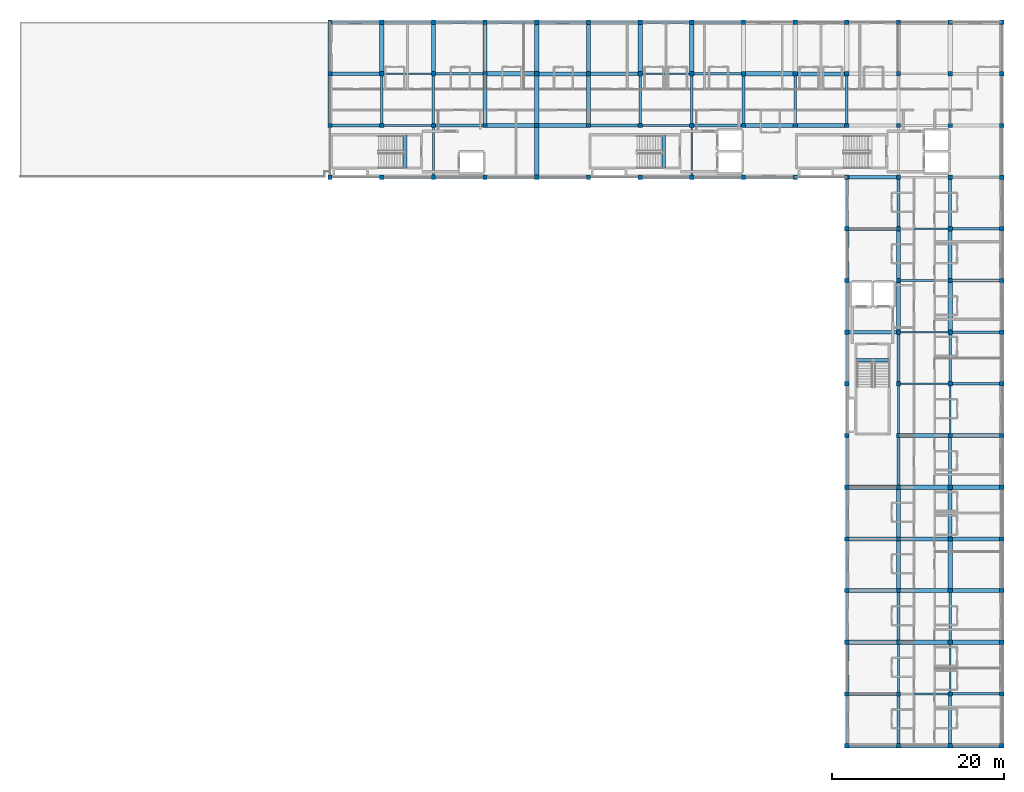
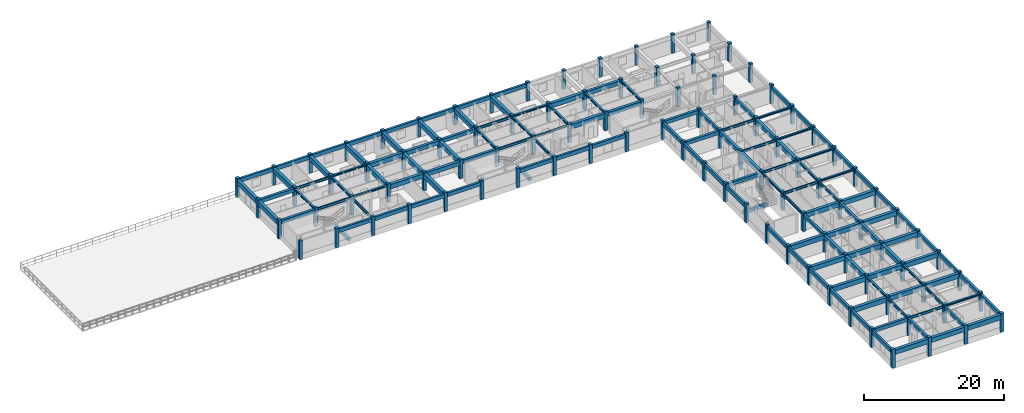
# One storey, part 1 of 15: 134 beams, 100 columns.
"""IFC4 building model written with IfcOpenShell, lengths in metres."""

from ifc_helpers import new_model, si_unit, direction, frame, origin, origin_2d, place, context, subcontext, project, spatial, rectangle, i_section, extrude, material, material_profile, profile_set, type_object, element, save


model = new_model("IFC4")

# Units and contexts
model_context = context("Model", 3, precision=1e-05, world=origin(), true_north=direction((0.0, 1.0)))
body_context = subcontext(model_context, "Body", "Model", "MODEL_VIEW")
ifc_project = project(units=[si_unit("LENGTHUNIT", "METRE"), si_unit("AREAUNIT", "SQUARE_METRE"), si_unit("VOLUMEUNIT", "CUBIC_METRE"), si_unit("PLANEANGLEUNIT", "RADIAN"), si_unit("MASSUNIT", "GRAM", prefix="KILO"), si_unit("THERMODYNAMICTEMPERATUREUNIT", "KELVIN"), si_unit("POWERUNIT", "WATT")], contexts=[model_context])

# Site, building, storey
site_placement = place(None, origin())
site = spatial("IfcSite", under=ifc_project, at=site_placement, CompositionType="ELEMENT")
building_placement = place(site_placement, origin())
building = spatial("IfcBuilding", under=site, at=building_placement, Name="Phaisarnlok Congress Hotel", CompositionType="ELEMENT")
storey_placement = place(building_placement, frame((0.0, 0.0, 38.10009765625)))
storey = spatial("IfcBuildingStorey", under=building, at=storey_placement, Name="L09", CompositionType="ELEMENT", Elevation=38.10009765625)

# Columns
ifc_material_1 = material(Name="Concrete C50/60", Category="concrete")
ifc_material_profile_1 = material_profile(ifc_material_1, rectangle(XDim=0.5, YDim=0.5, at=origin_2d()), Name="RC 500x500")
ifc_profile_set_1 = profile_set([ifc_material_profile_1], Name="Concrete C50/60")
column_type_1 = type_object("IfcColumnType", Name="COL-RC-500", PredefinedType="COLUMN", material=ifc_profile_set_1)
for number, where, z_axis, x_axis, name in (
    (1, (102.0, 108.0, 0.0), (0.0, 0.0, 1.0), (1.0, 0.0, 0.0), "Column C-01 (L09)"),
    (2, (102.0, 114.0, 0.0), (0.0, 0.0, 1.0), (1.0, 0.0, 0.0), "Column C-01 (L09)"),
    (3, (102.0, 120.0, 0.0), (0.0, 0.0, 1.0), (1.0, 0.0, 0.0), "Column C-01 (L09)"),
    (4, (108.0, 108.0, 0.0), (0.0, 0.0, 1.0), (1.0, 0.0, 0.0), "Column C-01 (L09)"),
    (5, (108.0, 114.0, 0.0), (0.0, 0.0, 1.0), (1.0, 0.0, 0.0), "Column C-01 (L09)"),
    (6, (108.0, 120.0, 0.0), (0.0, 0.0, 1.0), (1.0, 0.0, 0.0), "Column C-01 (L09)"),
    (7, (114.0, 108.0, 0.0), (0.0, 0.0, 1.0), (1.0, 0.0, 0.0), "Column C-01 (L09)"),
    (8, (114.0, 114.0, 0.0), (0.0, 0.0, 1.0), (1.0, 0.0, 0.0), "Column C-01 (L09)"),
    (9, (114.0, 120.0, 0.0), (0.0, 0.0, 1.0), (1.0, 0.0, 0.0), "Column C-01 (L09)"),
    (10, (120.0, 108.0, 0.0), (0.0, 0.0, 1.0), (1.0, 0.0, 0.0), "Column C-01 (L09)"),
    (11, (120.0, 114.0, 0.0), (0.0, 0.0, 1.0), (1.0, 0.0, 0.0), "Column C-01 (L09)"),
    (12, (120.0, 120.0, 0.0), (0.0, 0.0, 1.0), (1.0, 0.0, 0.0), "Column C-01 (L09)"),
    (13, (126.0, 108.0, 0.0), (0.0, 0.0, 1.0), (1.0, 0.0, 0.0), "Column C-01 (L09)"),
    (14, (126.0, 114.0, 0.0), (0.0, 0.0, 1.0), (1.0, 0.0, 0.0), "Column C-01 (L09)"),
    (15, (126.0, 120.0, 0.0), (0.0, 0.0, 1.0), (1.0, 0.0, 0.0), "Column C-01 (L09)"),
    (16, (132.0, 108.0, 0.0), (0.0, 0.0, 1.0), (1.0, 0.0, 0.0), "Column C-01 (L09)"),
    (17, (132.0, 114.0, 0.0), (0.0, 0.0, 1.0), (1.0, 0.0, 0.0), "Column C-01 (L09)"),
    (18, (132.0, 120.0, 0.0), (0.0, 0.0, 1.0), (1.0, 0.0, 0.0), "Column C-01 (L09)"),
    (19, (138.0, 108.0, 0.0), (0.0, 0.0, 1.0), (1.0, 0.0, 0.0), "Column C-01 (L09)"),
    (20, (138.0, 114.0, 0.0), (0.0, 0.0, 1.0), (1.0, 0.0, 0.0), "Column C-01 (L09)"),
    (21, (138.0, 120.0, 0.0), (0.0, 0.0, 1.0), (1.0, 0.0, 0.0), "Column C-01 (L09)"),
    (22, (144.0, 108.0, 0.0), (0.0, 0.0, 1.0), (1.0, 0.0, 0.0), "Column C-01 (L09)"),
    (23, (144.0, 114.0, 0.0), (0.0, 0.0, 1.0), (1.0, 0.0, 0.0), "Column C-01 (L09)"),
    (24, (144.0, 120.0, 0.0), (0.0, 0.0, 1.0), (1.0, 0.0, 0.0), "Column C-01 (L09)"),
    (25, (150.0, 108.0, 0.0), (0.0, 0.0, 1.0), (1.0, 0.0, 0.0), "Column C-01 (L09)"),
    (26, (150.0, 114.0, 0.0), (0.0, 0.0, 1.0), (1.0, 0.0, 0.0), "Column C-01 (L09)"),
    (27, (150.0, 120.0, 0.0), (0.0, 0.0, 1.0), (1.0, 0.0, 0.0), "Column C-01 (L09)"),
    (28, (156.0, 108.0, 0.0), (0.0, 0.0, 1.0), (1.0, 0.0, 0.0), "Column C-01 (L09)"),
    (29, (156.0, 114.0, 0.0), (0.0, 0.0, 1.0), (1.0, 0.0, 0.0), "Column C-01 (L09)"),
    (30, (156.0, 120.0, 0.0), (0.0, 0.0, 1.0), (1.0, 0.0, 0.0), "Column C-01 (L09)"),
    (31, (162.0, 42.0, 0.0), (0.0, 0.0, 1.0), (1.0, 0.0, 0.0), "Column C-01 (L09)"),
    (32, (162.0, 48.0, 0.0), (0.0, 0.0, 1.0), (1.0, 0.0, 0.0), "Column C-01 (L09)"),
    (33, (162.0, 54.0, 0.0), (0.0, 0.0, 1.0), (1.0, 0.0, 0.0), "Column C-01 (L09)"),
    (34, (162.0, 60.0, 0.0), (0.0, 0.0, 1.0), (1.0, 0.0, 0.0), "Column C-01 (L09)"),
    (35, (162.0, 66.0, 0.0), (0.0, 0.0, 1.0), (1.0, 0.0, 0.0), "Column C-01 (L09)"),
    (36, (162.0, 72.0, 0.0), (0.0, 0.0, 1.0), (1.0, 0.0, 0.0), "Column C-01 (L09)"),
    (37, (162.0, 78.0, 0.0), (0.0, 0.0, 1.0), (1.0, 0.0, 0.0), "Column C-01 (L09)"),
    (38, (162.0, 84.0, 0.0), (0.0, 0.0, 1.0), (1.0, 0.0, 0.0), "Column C-01 (L09)"),
    (39, (162.0, 90.0, 0.0), (0.0, 0.0, 1.0), (1.0, 0.0, 0.0), "Column C-01 (L09)"),
    (40, (162.0, 96.0, 0.0), (0.0, 0.0, 1.0), (1.0, 0.0, 0.0), "Column C-01 (L09)"),
    (41, (162.0, 102.0, 0.0), (0.0, 0.0, 1.0), (1.0, 0.0, 0.0), "Column C-01 (L09)"),
    (42, (162.0, 108.0, 0.0), (0.0, 0.0, 1.0), (1.0, 0.0, 0.0), "Column C-01 (L09)"),
    (43, (162.0, 114.0, 0.0), (0.0, 0.0, 1.0), (1.0, 0.0, 0.0), "Column C-01 (L09)"),
    (44, (162.0, 120.0, 0.0), (0.0, 0.0, 1.0), (1.0, 0.0, 0.0), "Column C-01 (L09)"),
    (45, (168.0, 42.0, 0.0), (0.0, 0.0, 1.0), (1.0, 0.0, 0.0), "Column C-01 (L09)"),
    (46, (168.0, 48.0, 0.0), (0.0, 0.0, 1.0), (1.0, 0.0, 0.0), "Column C-01 (L09)"),
    (47, (168.0, 54.0, 0.0), (0.0, 0.0, 1.0), (1.0, 0.0, 0.0), "Column C-01 (L09)"),
    (48, (168.0, 60.0, 0.0), (0.0, 0.0, 1.0), (1.0, 0.0, 0.0), "Column C-01 (L09)"),
    (49, (168.0, 66.0, 0.0), (0.0, 0.0, 1.0), (1.0, 0.0, 0.0), "Column C-01 (L09)"),
    (50, (168.0, 72.0, 0.0), (0.0, 0.0, 1.0), (1.0, 0.0, 0.0), "Column C-01 (L09)"),
    (51, (168.0, 78.0, 0.0), (0.0, 0.0, 1.0), (1.0, 0.0, 0.0), "Column C-01 (L09)"),
    (52, (168.0, 84.0, 0.0), (0.0, 0.0, 1.0), (1.0, 0.0, 0.0), "Column C-01 (L09)"),
    (53, (168.0, 90.0, 0.0), (0.0, 0.0, 1.0), (1.0, 0.0, 0.0), "Column C-01 (L09)"),
    (54, (168.0, 96.0, 0.0), (0.0, 0.0, 1.0), (1.0, 0.0, 0.0), "Column C-01 (L09)"),
    (55, (168.0, 102.0, 0.0), (0.0, 0.0, 1.0), (1.0, 0.0, 0.0), "Column C-01 (L09)"),
    (56, (168.0, 108.0, 0.0), (0.0, 0.0, 1.0), (1.0, 0.0, 0.0), "Column C-01 (L09)"),
    (57, (168.0, 114.0, 0.0), (0.0, 0.0, 1.0), (1.0, 0.0, 0.0), "Column C-01 (L09)"),
    (58, (168.0, 120.0, 0.0), (0.0, 0.0, 1.0), (1.0, 0.0, 0.0), "Column C-01 (L09)"),
    (59, (174.0, 42.0, 0.0), (0.0, 0.0, 1.0), (1.0, 0.0, 0.0), "Column C-01 (L09)"),
    (60, (174.0, 48.0, 0.0), (0.0, 0.0, 1.0), (1.0, 0.0, 0.0), "Column C-01 (L09)"),
    (61, (174.0, 54.0, 0.0), (0.0, 0.0, 1.0), (1.0, 0.0, 0.0), "Column C-01 (L09)"),
    (62, (174.0, 60.0, 0.0), (0.0, 0.0, 1.0), (1.0, 0.0, 0.0), "Column C-01 (L09)"),
    (63, (174.0, 66.0, 0.0), (0.0, 0.0, 1.0), (1.0, 0.0, 0.0), "Column C-01 (L09)"),
    (64, (174.0, 72.0, 0.0), (0.0, 0.0, 1.0), (1.0, 0.0, 0.0), "Column C-01 (L09)"),
    (65, (174.0, 78.0, 0.0), (0.0, 0.0, 1.0), (1.0, 0.0, 0.0), "Column C-01 (L09)"),
    (66, (174.0, 84.0, 0.0), (0.0, 0.0, 1.0), (1.0, 0.0, 0.0), "Column C-01 (L09)"),
    (67, (174.0, 90.0, 0.0), (0.0, 0.0, 1.0), (1.0, 0.0, 0.0), "Column C-01 (L09)"),
    (68, (174.0, 96.0, 0.0), (0.0, 0.0, 1.0), (1.0, 0.0, 0.0), "Column C-01 (L09)"),
    (69, (174.0, 102.0, 0.0), (0.0, 0.0, 1.0), (1.0, 0.0, 0.0), "Column C-01 (L09)"),
    (70, (174.0, 108.0, 0.0), (0.0, 0.0, 1.0), (1.0, 0.0, 0.0), "Column C-01 (L09)"),
    (71, (174.0, 114.0, 0.0), (0.0, 0.0, 1.0), (1.0, 0.0, 0.0), "Column C-01 (L09)"),
    (72, (174.0, 120.0, 0.0), (0.0, 0.0, 1.0), (1.0, 0.0, 0.0), "Column C-01 (L09)"),
):
    element("IfcColumn", number, at=place(storey_placement, frame(where, z_axis=z_axis, x_axis=x_axis)), inside=storey, type_object=column_type_1, Name=name, PredefinedType="COLUMN", context=body_context, shape_type="SweptSolid", body=[
        extrude(rectangle(XDim=0.5, YDim=0.5, at=origin_2d()), origin(), (0.0, 0.0, 1.0), 3.2998046875),
    ])
ifc_material_profile_2 = material_profile(ifc_material_1, rectangle(XDim=0.5, YDim=0.5, at=origin_2d()), Name="RC 500x500")
ifc_profile_set_2 = profile_set([ifc_material_profile_2], Name="Concrete C50/60")
column_type_2 = type_object("IfcColumnType", Name="COL-RC-500-EXT", PredefinedType="COLUMN", material=ifc_profile_set_2)
for number, where, z_axis, x_axis, name in (
    (73, (102.0, 126.0, 0.0), (0.0, 0.0, 1.0), (1.0, 0.0, 0.0), "Column C-01E (L09)"),
    (74, (108.0, 126.0, 0.0), (0.0, 0.0, 1.0), (1.0, 0.0, 0.0), "Column C-01E (L09)"),
    (75, (114.0, 126.0, 0.0), (0.0, 0.0, 1.0), (1.0, 0.0, 0.0), "Column C-01E (L09)"),
    (76, (120.0, 126.0, 0.0), (0.0, 0.0, 1.0), (1.0, 0.0, 0.0), "Column C-01E (L09)"),
    (77, (126.0, 126.0, 0.0), (0.0, 0.0, 1.0), (1.0, 0.0, 0.0), "Column C-01E (L09)"),
    (78, (132.0, 126.0, 0.0), (0.0, 0.0, 1.0), (1.0, 0.0, 0.0), "Column C-01E (L09)"),
    (79, (138.0, 126.0, 0.0), (0.0, 0.0, 1.0), (1.0, 0.0, 0.0), "Column C-01E (L09)"),
    (80, (144.0, 126.0, 0.0), (0.0, 0.0, 1.0), (1.0, 0.0, 0.0), "Column C-01E (L09)"),
    (81, (150.0, 126.0, 0.0), (0.0, 0.0, 1.0), (1.0, 0.0, 0.0), "Column C-01E (L09)"),
    (82, (156.0, 126.0, 0.0), (0.0, 0.0, 1.0), (1.0, 0.0, 0.0), "Column C-01E (L09)"),
    (83, (162.0, 126.0, 0.0), (0.0, 0.0, 1.0), (1.0, 0.0, 0.0), "Column C-01E (L09)"),
    (84, (168.0, 126.0, 0.0), (0.0, 0.0, 1.0), (1.0, 0.0, 0.0), "Column C-01E (L09)"),
    (85, (174.0, 126.0, 0.0), (0.0, 0.0, 1.0), (1.0, 0.0, 0.0), "Column C-01E (L09)"),
    (86, (180.0, 42.0, 0.0), (0.0, 0.0, 1.0), (1.0, 0.0, 0.0), "Column C-01E (L09)"),
    (87, (180.0, 48.0, 0.0), (0.0, 0.0, 1.0), (1.0, 0.0, 0.0), "Column C-01E (L09)"),
    (88, (180.0, 54.0, 0.0), (0.0, 0.0, 1.0), (1.0, 0.0, 0.0), "Column C-01E (L09)"),
    (89, (180.0, 60.0, 0.0), (0.0, 0.0, 1.0), (1.0, 0.0, 0.0), "Column C-01E (L09)"),
    (90, (180.0, 66.0, 0.0), (0.0, 0.0, 1.0), (1.0, 0.0, 0.0), "Column C-01E (L09)"),
    (91, (180.0, 72.0, 0.0), (0.0, 0.0, 1.0), (1.0, 0.0, 0.0), "Column C-01E (L09)"),
    (92, (180.0, 78.0, 0.0), (0.0, 0.0, 1.0), (1.0, 0.0, 0.0), "Column C-01E (L09)"),
    (93, (180.0, 84.0, 0.0), (0.0, 0.0, 1.0), (1.0, 0.0, 0.0), "Column C-01E (L09)"),
    (94, (180.0, 90.0, 0.0), (0.0, 0.0, 1.0), (1.0, 0.0, 0.0), "Column C-01E (L09)"),
    (95, (180.0, 96.0, 0.0), (0.0, 0.0, 1.0), (1.0, 0.0, 0.0), "Column C-01E (L09)"),
    (96, (180.0, 102.0, 0.0), (0.0, 0.0, 1.0), (1.0, 0.0, 0.0), "Column C-01E (L09)"),
    (97, (180.0, 108.0, 0.0), (0.0, 0.0, 1.0), (1.0, 0.0, 0.0), "Column C-01E (L09)"),
    (98, (180.0, 114.0, 0.0), (0.0, 0.0, 1.0), (1.0, 0.0, 0.0), "Column C-01E (L09)"),
    (99, (180.0, 120.0, 0.0), (0.0, 0.0, 1.0), (1.0, 0.0, 0.0), "Column C-01E (L09)"),
    (100, (180.0, 126.0, 0.0), (0.0, 0.0, 1.0), (1.0, 0.0, 0.0), "Column C-01E (L09)"),
):
    element("IfcColumn", number, at=place(storey_placement, frame(where, z_axis=z_axis, x_axis=x_axis)), inside=storey, type_object=column_type_2, Name=name, PredefinedType="COLUMN", context=body_context, shape_type="SweptSolid", body=[
        extrude(rectangle(XDim=0.5, YDim=0.5, at=origin_2d()), origin(), (0.0, 0.0, 1.0), 3.2998046875),
    ])

# Beams
ifc_material_2 = material(Name="Concrete C40/50", Category="concrete")
ifc_material_profile_3 = material_profile(ifc_material_2, rectangle(XDim=0.35009765625, YDim=0.550048828125, at=origin_2d()), Name="RC 350x550")
ifc_profile_set_3 = profile_set([ifc_material_profile_3], Name="Concrete C40/50")
beam_type_1 = type_object("IfcBeamType", Name="BM-RC-350x550", PredefinedType="BEAM", material=ifc_profile_set_3)
for number, where, z_axis, x_axis, name in (
    (101, (168.0, 42.2451171875, 2.784912109375), (0.0, 1.0, 0.0), (-1.0, 0.0, 0.0), "Beam B-01"),
    (102, (168.0, 72.2451171875, 2.784912109375), (0.0, 1.0, 0.0), (-1.0, 0.0, 0.0), "Beam B-01"),
    (103, (168.0, 102.2451171875, 2.784912109375), (0.0, 1.0, 0.0), (-1.0, 0.0, 0.0), "Beam B-01"),
    (104, (174.0, 42.2451171875, 2.784912109375), (0.0, 1.0, 0.0), (-1.0, 0.0, 0.0), "Beam B-01"),
    (105, (174.0, 72.2451171875, 2.784912109375), (0.0, 1.0, 0.0), (-1.0, 0.0, 0.0), "Beam B-01"),
    (106, (174.0, 102.2451171875, 2.784912109375), (0.0, 1.0, 0.0), (-1.0, 0.0, 0.0), "Beam B-01"),
):
    element("IfcBeam", number, at=place(storey_placement, frame(where, z_axis=z_axis, x_axis=x_axis)), inside=storey, type_object=beam_type_1, Name=name, PredefinedType="BEAM", context=body_context, shape_type="SweptSolid", body=[
        extrude(rectangle(XDim=0.35009765625, YDim=0.550048828125, at=origin_2d()), origin(), (0.0, 0.0, 1.0), 5.509765625),
    ])
ifc_material_profile_4 = material_profile(ifc_material_2, rectangle(XDim=0.39990234375, YDim=0.60009765625, at=origin_2d()), Name="RC 400x600")
ifc_profile_set_4 = profile_set([ifc_material_profile_4], Name="Concrete C40/50")
beam_type_2 = type_object("IfcBeamType", Name="BM-RC-400x600", PredefinedType="BEAM", material=ifc_profile_set_4)
for number, where, z_axis, x_axis, name in (
    (107, (102.2451171875, 114.0, 2.760009765625), (1.0, 0.0, 0.0), (0.0, 1.0, 0.0), "Beam B-02"),
    (108, (102.2451171875, 120.0, 2.760009765625), (1.0, 0.0, 0.0), (0.0, 1.0, 0.0), "Beam B-02"),
    (109, (132.2451171875, 114.0, 2.760009765625), (1.0, 0.0, 0.0), (0.0, 1.0, 0.0), "Beam B-02"),
    (110, (132.2451171875, 120.0, 2.760009765625), (1.0, 0.0, 0.0), (0.0, 1.0, 0.0), "Beam B-02"),
    (111, (162.2451171875, 48.0, 2.760009765625), (1.0, 0.0, 0.0), (0.0, 1.0, 0.0), "Beam B-02"),
    (112, (162.2451171875, 90.0, 2.760009765625), (1.0, 0.0, 0.0), (0.0, 1.0, 0.0), "Beam B-02"),
    (113, (162.2451171875, 102.0, 2.760009765625), (1.0, 0.0, 0.0), (0.0, 1.0, 0.0), "Beam B-02"),
    (114, (162.2451171875, 108.0, 2.760009765625), (1.0, 0.0, 0.0), (0.0, 1.0, 0.0), "Beam B-02"),
):
    element("IfcBeam", number, at=place(storey_placement, frame(where, z_axis=z_axis, x_axis=x_axis)), inside=storey, type_object=beam_type_2, Name=name, PredefinedType="BEAM", context=body_context, shape_type="SweptSolid", body=[
        extrude(rectangle(XDim=0.39990234375, YDim=0.60009765625, at=origin_2d()), origin(), (0.0, 0.0, 1.0), 5.509765625),
    ])
for number, where, z_axis, x_axis, name in (
    (115, (140.719970703125, 109.080078125, -0.300048828125), (0.0, 1.0, 0.0), (-1.0, 0.0, 0.0), "Stair landing header beam B-02 (CORE-2 L09)"),
    (116, (163.080078125, 86.719970703125, -0.300048828125), (1.0, 0.0, 0.0), (0.0, 1.0, 0.0), "Stair landing header beam B-02 (CORE-3 L09)"),
    (117, (110.719970703125, 109.080078125, -0.300048828125), (0.0, 1.0, 0.0), (-1.0, 0.0, 0.0), "Stair landing header beam B-02 (CORE-4 L09)"),
):
    element("IfcBeam", number, at=place(storey_placement, frame(where, z_axis=z_axis, x_axis=x_axis)), inside=storey, type_object=beam_type_2, Name=name, PredefinedType="BEAM", context=body_context, shape_type="SweptSolid", body=[
        extrude(rectangle(XDim=0.39990234375, YDim=0.60009765625, at=origin_2d()), origin(), (0.0, 0.0, 1.0), 3.83984375),
    ])
ifc_material_profile_5 = material_profile(ifc_material_2, rectangle(XDim=0.449951171875, YDim=0.699951171875, at=origin_2d()), Name="RC 450x700")
ifc_profile_set_5 = profile_set([ifc_material_profile_5], Name="Concrete C40/50")
beam_type_3 = type_object("IfcBeamType", Name="BM-RC-450x700", PredefinedType="BEAM", material=ifc_profile_set_5)
for number, where, z_axis, x_axis, name in (
    (118, (126.2451171875, 114.0, 2.7099609375), (1.0, 0.0, 0.0), (0.0, 1.0, 0.0), "Beam B-03"),
    (119, (126.2451171875, 120.0, 2.7099609375), (1.0, 0.0, 0.0), (0.0, 1.0, 0.0), "Beam B-03"),
    (120, (156.2451171875, 114.0, 2.7099609375), (1.0, 0.0, 0.0), (0.0, 1.0, 0.0), "Beam B-03"),
    (121, (156.2451171875, 120.0, 2.7099609375), (1.0, 0.0, 0.0), (0.0, 1.0, 0.0), "Beam B-03"),
    (122, (168.0, 66.2451171875, 2.7099609375), (0.0, 1.0, 0.0), (-1.0, 0.0, 0.0), "Beam B-03"),
    (123, (168.0, 96.2451171875, 2.7099609375), (0.0, 1.0, 0.0), (-1.0, 0.0, 0.0), "Beam B-03"),
    (124, (174.0, 66.2451171875, 2.7099609375), (0.0, 1.0, 0.0), (-1.0, 0.0, 0.0), "Beam B-03"),
    (125, (174.0, 96.2451171875, 2.7099609375), (0.0, 1.0, 0.0), (-1.0, 0.0, 0.0), "Beam B-03"),
):
    element("IfcBeam", number, at=place(storey_placement, frame(where, z_axis=z_axis, x_axis=x_axis)), inside=storey, type_object=beam_type_3, Name=name, PredefinedType="BEAM", context=body_context, shape_type="SweptSolid", body=[
        extrude(rectangle(XDim=0.449951171875, YDim=0.699951171875, at=origin_2d()), origin(), (0.0, 0.0, 1.0), 5.509765625),
    ])
ifc_material_profile_6 = material_profile(ifc_material_2, rectangle(XDim=0.5, YDim=0.800048828125, at=origin_2d()), Name="RC 500x800")
ifc_profile_set_6 = profile_set([ifc_material_profile_6], Name="Concrete C40/50")
beam_type_4 = type_object("IfcBeamType", Name="BM-RC-500x800", PredefinedType="BEAM", material=ifc_profile_set_6)
for number, where, z_axis, x_axis, name in (
    (126, (108.0, 120.2451171875, 2.659912109375), (0.0, 1.0, 0.0), (-1.0, 0.0, 0.0), "Beam B-04"),
    (127, (114.0, 120.2451171875, 2.659912109375), (0.0, 1.0, 0.0), (-1.0, 0.0, 0.0), "Beam B-04"),
    (128, (120.2451171875, 114.0, 2.659912109375), (1.0, 0.0, 0.0), (0.0, 1.0, 0.0), "Beam B-04"),
    (129, (120.0, 114.2451171875, 2.659912109375), (0.0, 1.0, 0.0), (-1.0, 0.0, 0.0), "Beam B-04"),
    (130, (120.2451171875, 120.0, 2.659912109375), (1.0, 0.0, 0.0), (0.0, 1.0, 0.0), "Beam B-04"),
    (131, (120.0, 120.2451171875, 2.659912109375), (0.0, 1.0, 0.0), (-1.0, 0.0, 0.0), "Beam B-04"),
    (132, (126.0, 108.2451171875, 2.659912109375), (0.0, 1.0, 0.0), (-1.0, 0.0, 0.0), "Beam B-04"),
    (133, (126.0, 114.2451171875, 2.659912109375), (0.0, 1.0, 0.0), (-1.0, 0.0, 0.0), "Beam B-04"),
    (134, (126.0, 120.2451171875, 2.659912109375), (0.0, 1.0, 0.0), (-1.0, 0.0, 0.0), "Beam B-04"),
    (135, (132.0, 114.2451171875, 2.659912109375), (0.0, 1.0, 0.0), (-1.0, 0.0, 0.0), "Beam B-04"),
    (136, (132.0, 120.2451171875, 2.659912109375), (0.0, 1.0, 0.0), (-1.0, 0.0, 0.0), "Beam B-04"),
    (137, (138.0, 120.2451171875, 2.659912109375), (0.0, 1.0, 0.0), (-1.0, 0.0, 0.0), "Beam B-04"),
    (138, (144.0, 120.2451171875, 2.659912109375), (0.0, 1.0, 0.0), (-1.0, 0.0, 0.0), "Beam B-04"),
    (139, (150.2451171875, 114.0, 2.659912109375), (1.0, 0.0, 0.0), (0.0, 1.0, 0.0), "Beam B-04"),
    (140, (150.2451171875, 120.0, 2.659912109375), (1.0, 0.0, 0.0), (0.0, 1.0, 0.0), "Beam B-04"),
    (141, (162.2451171875, 54.0, 2.659912109375), (1.0, 0.0, 0.0), (0.0, 1.0, 0.0), "Beam B-04"),
    (142, (162.2451171875, 60.0, 2.659912109375), (1.0, 0.0, 0.0), (0.0, 1.0, 0.0), "Beam B-04"),
    (143, (162.2451171875, 66.0, 2.659912109375), (1.0, 0.0, 0.0), (0.0, 1.0, 0.0), "Beam B-04"),
    (144, (162.2451171875, 72.0, 2.659912109375), (1.0, 0.0, 0.0), (0.0, 1.0, 0.0), "Beam B-04"),
    (145, (168.2451171875, 54.0, 2.659912109375), (1.0, 0.0, 0.0), (0.0, 1.0, 0.0), "Beam B-04"),
    (146, (168.2451171875, 60.0, 2.659912109375), (1.0, 0.0, 0.0), (0.0, 1.0, 0.0), "Beam B-04"),
    (147, (168.0, 60.2451171875, 2.659912109375), (0.0, 1.0, 0.0), (-1.0, 0.0, 0.0), "Beam B-04"),
    (148, (168.2451171875, 66.0, 2.659912109375), (1.0, 0.0, 0.0), (0.0, 1.0, 0.0), "Beam B-04"),
    (149, (168.2451171875, 72.0, 2.659912109375), (1.0, 0.0, 0.0), (0.0, 1.0, 0.0), "Beam B-04"),
    (150, (168.2451171875, 78.0, 2.659912109375), (1.0, 0.0, 0.0), (0.0, 1.0, 0.0), "Beam B-04"),
    (151, (168.0, 90.2451171875, 2.659912109375), (0.0, 1.0, 0.0), (-1.0, 0.0, 0.0), "Beam B-04"),
    (152, (174.2451171875, 54.0, 2.659912109375), (1.0, 0.0, 0.0), (0.0, 1.0, 0.0), "Beam B-04"),
    (153, (174.2451171875, 60.0, 2.659912109375), (1.0, 0.0, 0.0), (0.0, 1.0, 0.0), "Beam B-04"),
    (154, (174.0, 60.2451171875, 2.659912109375), (0.0, 1.0, 0.0), (-1.0, 0.0, 0.0), "Beam B-04"),
    (155, (174.2451171875, 66.0, 2.659912109375), (1.0, 0.0, 0.0), (0.0, 1.0, 0.0), "Beam B-04"),
    (156, (174.2451171875, 72.0, 2.659912109375), (1.0, 0.0, 0.0), (0.0, 1.0, 0.0), "Beam B-04"),
    (157, (174.2451171875, 78.0, 2.659912109375), (1.0, 0.0, 0.0), (0.0, 1.0, 0.0), "Beam B-04"),
    (158, (174.0, 90.2451171875, 2.659912109375), (0.0, 1.0, 0.0), (-1.0, 0.0, 0.0), "Beam B-04"),
):
    element("IfcBeam", number, at=place(storey_placement, frame(where, z_axis=z_axis, x_axis=x_axis)), inside=storey, type_object=beam_type_4, Name=name, PredefinedType="BEAM", context=body_context, shape_type="SweptSolid", body=[
        extrude(rectangle(XDim=0.5, YDim=0.800048828125, at=origin_2d()), origin(), (0.0, 0.0, 1.0), 5.509765625),
    ])
ifc_material_3 = material(Name="Steel S355", Category="steel")
ifc_material_profile_7 = material_profile(ifc_material_3, i_section(OverallWidth=0.300048828125, OverallDepth=0.2900390625, WebThickness=0.008544921875, FlangeThickness=0.013916015625, FilletRadius=0.027099609375, at=origin_2d()), Name="HEA 300")
ifc_profile_set_7 = profile_set([ifc_material_profile_7], Name="Steel S355")
beam_type_5 = type_object("IfcBeamType", Name="BM-STL-HEA300", PredefinedType="BEAM", material=ifc_profile_set_7)
for number, where, z_axis, x_axis, name in (
    (159, (114.2451171875, 114.0, 2.914794921875), (1.0, 0.0, 0.0), (0.0, 1.0, 0.0), "Beam SB-05"),
    (160, (114.2451171875, 120.0, 2.914794921875), (1.0, 0.0, 0.0), (0.0, 1.0, 0.0), "Beam SB-05"),
    (161, (144.2451171875, 114.0, 2.914794921875), (1.0, 0.0, 0.0), (0.0, 1.0, 0.0), "Beam SB-05"),
    (162, (144.2451171875, 120.0, 2.914794921875), (1.0, 0.0, 0.0), (0.0, 1.0, 0.0), "Beam SB-05"),
    (163, (174.2451171875, 48.0, 2.914794921875), (1.0, 0.0, 0.0), (0.0, 1.0, 0.0), "Beam SB-05"),
    (164, (174.2451171875, 84.0, 2.914794921875), (1.0, 0.0, 0.0), (0.0, 1.0, 0.0), "Beam SB-05"),
    (165, (174.2451171875, 90.0, 2.914794921875), (1.0, 0.0, 0.0), (0.0, 1.0, 0.0), "Beam SB-05"),
    (166, (174.2451171875, 96.0, 2.914794921875), (1.0, 0.0, 0.0), (0.0, 1.0, 0.0), "Beam SB-05"),
    (167, (174.2451171875, 102.0, 2.914794921875), (1.0, 0.0, 0.0), (0.0, 1.0, 0.0), "Beam SB-05"),
):
    element("IfcBeam", number, at=place(storey_placement, frame(where, z_axis=z_axis, x_axis=x_axis)), inside=storey, type_object=beam_type_5, Name=name, PredefinedType="BEAM", context=body_context, shape_type="SweptSolid", body=[
        extrude(i_section(OverallWidth=0.300048828125, OverallDepth=0.2900390625, WebThickness=0.008544921875, FlangeThickness=0.013916015625, FilletRadius=0.027099609375, at=origin_2d()), origin(), (0.0, 0.0, 1.0), 5.509765625),
    ])
ifc_material_profile_8 = material_profile(ifc_material_3, i_section(OverallWidth=0.300048828125, OverallDepth=0.340087890625, WebThickness=0.011962890625, FlangeThickness=0.021484375, FilletRadius=0.027099609375, at=origin_2d()), Name="HEB 340")
ifc_profile_set_8 = profile_set([ifc_material_profile_8], Name="Steel S355")
beam_type_6 = type_object("IfcBeamType", Name="BM-STL-HEB340", PredefinedType="BEAM", material=ifc_profile_set_8)
for number, where, z_axis, x_axis, name in (
    (168, (108.0, 114.2451171875, 2.889892578125), (0.0, 1.0, 0.0), (-1.0, 0.0, 0.0), "Beam SB-07"),
    (169, (114.0, 114.2451171875, 2.889892578125), (0.0, 1.0, 0.0), (-1.0, 0.0, 0.0), "Beam SB-07"),
    (170, (138.0, 114.2451171875, 2.889892578125), (0.0, 1.0, 0.0), (-1.0, 0.0, 0.0), "Beam SB-07"),
    (171, (144.0, 114.2451171875, 2.889892578125), (0.0, 1.0, 0.0), (-1.0, 0.0, 0.0), "Beam SB-07"),
    (172, (150.0, 114.2451171875, 2.889892578125), (0.0, 1.0, 0.0), (-1.0, 0.0, 0.0), "Beam SB-07"),
    (173, (156.0, 114.2451171875, 2.889892578125), (0.0, 1.0, 0.0), (-1.0, 0.0, 0.0), "Beam SB-07"),
    (174, (162.0, 114.2451171875, 2.889892578125), (0.0, 1.0, 0.0), (-1.0, 0.0, 0.0), "Beam SB-07"),
    (175, (168.0, 54.2451171875, 2.889892578125), (0.0, 1.0, 0.0), (-1.0, 0.0, 0.0), "Beam SB-07"),
    (176, (168.0, 84.2451171875, 2.889892578125), (0.0, 1.0, 0.0), (-1.0, 0.0, 0.0), "Beam SB-07"),
    (177, (174.0, 54.2451171875, 2.889892578125), (0.0, 1.0, 0.0), (-1.0, 0.0, 0.0), "Beam SB-07"),
    (178, (174.0, 84.2451171875, 2.889892578125), (0.0, 1.0, 0.0), (-1.0, 0.0, 0.0), "Beam SB-07"),
):
    element("IfcBeam", number, at=place(storey_placement, frame(where, z_axis=z_axis, x_axis=x_axis)), inside=storey, type_object=beam_type_6, Name=name, PredefinedType="BEAM", context=body_context, shape_type="SweptSolid", body=[
        extrude(i_section(OverallWidth=0.300048828125, OverallDepth=0.340087890625, WebThickness=0.011962890625, FlangeThickness=0.021484375, FilletRadius=0.027099609375, at=origin_2d()), origin(), (0.0, 0.0, 1.0), 5.509765625),
    ])
ifc_material_profile_9 = material_profile(ifc_material_3, i_section(OverallWidth=0.18994140625, OverallDepth=0.449951171875, WebThickness=0.009521484375, FlangeThickness=0.0146484375, FilletRadius=0.02099609375, at=origin_2d()), Name="IPE 450")
ifc_profile_set_9 = profile_set([ifc_material_profile_9], Name="Steel S355")
beam_type_7 = type_object("IfcBeamType", Name="BM-STL-IPE450", PredefinedType="BEAM", material=ifc_profile_set_9)
for number, where, z_axis, x_axis, name in (
    (179, (108.2451171875, 114.0, 2.8349609375), (1.0, 0.0, 0.0), (0.0, 1.0, 0.0), "Beam SB-01"),
    (180, (108.2451171875, 120.0, 2.8349609375), (1.0, 0.0, 0.0), (0.0, 1.0, 0.0), "Beam SB-01"),
    (181, (138.2451171875, 114.0, 2.8349609375), (1.0, 0.0, 0.0), (0.0, 1.0, 0.0), "Beam SB-01"),
    (182, (138.2451171875, 120.0, 2.8349609375), (1.0, 0.0, 0.0), (0.0, 1.0, 0.0), "Beam SB-01"),
    (183, (168.2451171875, 48.0, 2.8349609375), (1.0, 0.0, 0.0), (0.0, 1.0, 0.0), "Beam SB-01"),
    (184, (168.2451171875, 84.0, 2.8349609375), (1.0, 0.0, 0.0), (0.0, 1.0, 0.0), "Beam SB-01"),
    (185, (168.2451171875, 90.0, 2.8349609375), (1.0, 0.0, 0.0), (0.0, 1.0, 0.0), "Beam SB-01"),
    (186, (168.2451171875, 96.0, 2.8349609375), (1.0, 0.0, 0.0), (0.0, 1.0, 0.0), "Beam SB-01"),
    (187, (168.2451171875, 102.0, 2.8349609375), (1.0, 0.0, 0.0), (0.0, 1.0, 0.0), "Beam SB-01"),
):
    element("IfcBeam", number, at=place(storey_placement, frame(where, z_axis=z_axis, x_axis=x_axis)), inside=storey, type_object=beam_type_7, Name=name, PredefinedType="BEAM", context=body_context, shape_type="SweptSolid", body=[
        extrude(i_section(OverallWidth=0.18994140625, OverallDepth=0.449951171875, WebThickness=0.009521484375, FlangeThickness=0.0146484375, FilletRadius=0.02099609375, at=origin_2d()), origin(), (0.0, 0.0, 1.0), 5.509765625),
    ])
ifc_material_profile_10 = material_profile(ifc_material_3, i_section(OverallWidth=0.199951171875, OverallDepth=0.5, WebThickness=0.01025390625, FlangeThickness=0.01611328125, FilletRadius=0.02099609375, at=origin_2d()), Name="IPE 500")
ifc_profile_set_10 = profile_set([ifc_material_profile_10], Name="Steel S355")
beam_type_8 = type_object("IfcBeamType", Name="BM-STL-IPE500", PredefinedType="BEAM", material=ifc_profile_set_10)
for number, where, z_axis, x_axis, name in (
    (188, (114.0, 108.2451171875, 2.809814453125), (0.0, 1.0, 0.0), (-1.0, 0.0, 0.0), "Beam SB-02"),
    (189, (144.0, 108.2451171875, 2.809814453125), (0.0, 1.0, 0.0), (-1.0, 0.0, 0.0), "Beam SB-02"),
    (190, (168.0, 48.2451171875, 2.809814453125), (0.0, 1.0, 0.0), (-1.0, 0.0, 0.0), "Beam SB-02"),
    (191, (168.0, 78.2451171875, 2.809814453125), (0.0, 1.0, 0.0), (-1.0, 0.0, 0.0), "Beam SB-02"),
    (192, (174.0, 48.2451171875, 2.809814453125), (0.0, 1.0, 0.0), (-1.0, 0.0, 0.0), "Beam SB-02"),
    (193, (174.0, 78.2451171875, 2.809814453125), (0.0, 1.0, 0.0), (-1.0, 0.0, 0.0), "Beam SB-02"),
):
    element("IfcBeam", number, at=place(storey_placement, frame(where, z_axis=z_axis, x_axis=x_axis)), inside=storey, type_object=beam_type_8, Name=name, PredefinedType="BEAM", context=body_context, shape_type="SweptSolid", body=[
        extrude(i_section(OverallWidth=0.199951171875, OverallDepth=0.5, WebThickness=0.01025390625, FlangeThickness=0.01611328125, FilletRadius=0.02099609375, at=origin_2d()), origin(), (0.0, 0.0, 1.0), 5.509765625),
    ])
ifc_material_profile_11 = material_profile(ifc_material_2, rectangle(XDim=0.35009765625, YDim=0.64990234375, at=origin_2d()), Name="RC 350x650")
ifc_profile_set_11 = profile_set([ifc_material_profile_11], Name="Concrete C40/50")
beam_type_9 = type_object("IfcBeamType", Name="SP-RC-350x650", PredefinedType="SPANDREL", material=ifc_profile_set_11)
for number, where, z_axis, x_axis, name in (
    (194, (102.2451171875, 126.0, 2.73486328125), (1.0, 0.0, 0.0), (0.0, 1.0, 0.0), "Beam SP-01"),
    (195, (108.2451171875, 108.0, 2.73486328125), (1.0, 0.0, 0.0), (0.0, 1.0, 0.0), "Beam SP-01"),
    (196, (108.2451171875, 126.0, 2.73486328125), (1.0, 0.0, 0.0), (0.0, 1.0, 0.0), "Beam SP-01"),
    (197, (114.2451171875, 108.0, 2.73486328125), (1.0, 0.0, 0.0), (0.0, 1.0, 0.0), "Beam SP-01"),
    (198, (114.2451171875, 126.0, 2.73486328125), (1.0, 0.0, 0.0), (0.0, 1.0, 0.0), "Beam SP-01"),
    (199, (120.2451171875, 108.0, 2.73486328125), (1.0, 0.0, 0.0), (0.0, 1.0, 0.0), "Beam SP-01"),
    (200, (120.2451171875, 126.0, 2.73486328125), (1.0, 0.0, 0.0), (0.0, 1.0, 0.0), "Beam SP-01"),
    (201, (126.2451171875, 108.0, 2.73486328125), (1.0, 0.0, 0.0), (0.0, 1.0, 0.0), "Beam SP-01"),
    (202, (126.2451171875, 126.0, 2.73486328125), (1.0, 0.0, 0.0), (0.0, 1.0, 0.0), "Beam SP-01"),
    (203, (132.2451171875, 126.0, 2.73486328125), (1.0, 0.0, 0.0), (0.0, 1.0, 0.0), "Beam SP-01"),
    (204, (138.2451171875, 108.0, 2.73486328125), (1.0, 0.0, 0.0), (0.0, 1.0, 0.0), "Beam SP-01"),
    (205, (138.2451171875, 126.0, 2.73486328125), (1.0, 0.0, 0.0), (0.0, 1.0, 0.0), "Beam SP-01"),
    (206, (144.2451171875, 108.0, 2.73486328125), (1.0, 0.0, 0.0), (0.0, 1.0, 0.0), "Beam SP-01"),
    (207, (144.2451171875, 126.0, 2.73486328125), (1.0, 0.0, 0.0), (0.0, 1.0, 0.0), "Beam SP-01"),
    (208, (150.2451171875, 108.0, 2.73486328125), (1.0, 0.0, 0.0), (0.0, 1.0, 0.0), "Beam SP-01"),
    (209, (162.0, 42.2451171875, 2.73486328125), (0.0, 1.0, 0.0), (-1.0, 0.0, 0.0), "Beam SP-01"),
    (210, (162.0, 48.2451171875, 2.73486328125), (0.0, 1.0, 0.0), (-1.0, 0.0, 0.0), "Beam SP-01"),
    (211, (162.0, 54.2451171875, 2.73486328125), (0.0, 1.0, 0.0), (-1.0, 0.0, 0.0), "Beam SP-01"),
    (212, (162.0, 60.2451171875, 2.73486328125), (0.0, 1.0, 0.0), (-1.0, 0.0, 0.0), "Beam SP-01"),
    (213, (162.0, 66.2451171875, 2.73486328125), (0.0, 1.0, 0.0), (-1.0, 0.0, 0.0), "Beam SP-01"),
    (214, (162.0, 72.2451171875, 2.73486328125), (0.0, 1.0, 0.0), (-1.0, 0.0, 0.0), "Beam SP-01"),
    (215, (162.0, 84.2451171875, 2.73486328125), (0.0, 1.0, 0.0), (-1.0, 0.0, 0.0), "Beam SP-01"),
    (216, (162.0, 90.2451171875, 2.73486328125), (0.0, 1.0, 0.0), (-1.0, 0.0, 0.0), "Beam SP-01"),
    (217, (162.0, 96.2451171875, 2.73486328125), (0.0, 1.0, 0.0), (-1.0, 0.0, 0.0), "Beam SP-01"),
    (218, (162.0, 102.2451171875, 2.73486328125), (0.0, 1.0, 0.0), (-1.0, 0.0, 0.0), "Beam SP-01"),
    (219, (180.0, 42.2451171875, 2.73486328125), (0.0, 1.0, 0.0), (-1.0, 0.0, 0.0), "Beam SP-01"),
    (220, (180.0, 48.2451171875, 2.73486328125), (0.0, 1.0, 0.0), (-1.0, 0.0, 0.0), "Beam SP-01"),
    (221, (180.0, 54.2451171875, 2.73486328125), (0.0, 1.0, 0.0), (-1.0, 0.0, 0.0), "Beam SP-01"),
    (222, (180.0, 60.2451171875, 2.73486328125), (0.0, 1.0, 0.0), (-1.0, 0.0, 0.0), "Beam SP-01"),
    (223, (180.0, 66.2451171875, 2.73486328125), (0.0, 1.0, 0.0), (-1.0, 0.0, 0.0), "Beam SP-01"),
    (224, (180.0, 72.2451171875, 2.73486328125), (0.0, 1.0, 0.0), (-1.0, 0.0, 0.0), "Beam SP-01"),
    (225, (180.0, 78.2451171875, 2.73486328125), (0.0, 1.0, 0.0), (-1.0, 0.0, 0.0), "Beam SP-01"),
    (226, (180.0, 84.2451171875, 2.73486328125), (0.0, 1.0, 0.0), (-1.0, 0.0, 0.0), "Beam SP-01"),
    (227, (180.0, 90.2451171875, 2.73486328125), (0.0, 1.0, 0.0), (-1.0, 0.0, 0.0), "Beam SP-01"),
    (228, (180.0, 96.2451171875, 2.73486328125), (0.0, 1.0, 0.0), (-1.0, 0.0, 0.0), "Beam SP-01"),
    (229, (180.0, 102.2451171875, 2.73486328125), (0.0, 1.0, 0.0), (-1.0, 0.0, 0.0), "Beam SP-01"),
):
    element("IfcBeam", number, at=place(storey_placement, frame(where, z_axis=z_axis, x_axis=x_axis)), inside=storey, type_object=beam_type_9, Name=name, PredefinedType="SPANDREL", context=body_context, shape_type="SweptSolid", body=[
        extrude(rectangle(XDim=0.35009765625, YDim=0.64990234375, at=origin_2d()), origin(), (0.0, 0.0, 1.0), 5.509765625),
    ])
ifc_material_profile_12 = material_profile(ifc_material_2, rectangle(XDim=0.5, YDim=0.800048828125, at=origin_2d()), Name="RC 500x800")
ifc_profile_set_12 = profile_set([ifc_material_profile_12], Name="Concrete C40/50")
beam_type_10 = type_object("IfcBeamType", Name="SP-RC-500x800", PredefinedType="SPANDREL", material=ifc_profile_set_12)
for number, where, z_axis, x_axis, name in (
    (230, (102.0, 114.2451171875, 2.659912109375), (0.0, 1.0, 0.0), (-1.0, 0.0, 0.0), "Beam SP-04"),
    (231, (102.0, 120.2451171875, 2.659912109375), (0.0, 1.0, 0.0), (-1.0, 0.0, 0.0), "Beam SP-04"),
    (232, (162.2451171875, 42.0, 2.659912109375), (1.0, 0.0, 0.0), (0.0, 1.0, 0.0), "Beam SP-04"),
    (233, (168.2451171875, 42.0, 2.659912109375), (1.0, 0.0, 0.0), (0.0, 1.0, 0.0), "Beam SP-04"),
    (234, (174.2451171875, 42.0, 2.659912109375), (1.0, 0.0, 0.0), (0.0, 1.0, 0.0), "Beam SP-04"),
):
    element("IfcBeam", number, at=place(storey_placement, frame(where, z_axis=z_axis, x_axis=x_axis)), inside=storey, type_object=beam_type_10, Name=name, PredefinedType="SPANDREL", context=body_context, shape_type="SweptSolid", body=[
        extrude(rectangle(XDim=0.5, YDim=0.800048828125, at=origin_2d()), origin(), (0.0, 0.0, 1.0), 5.509765625),
    ])

save(model, "model.ifc")
